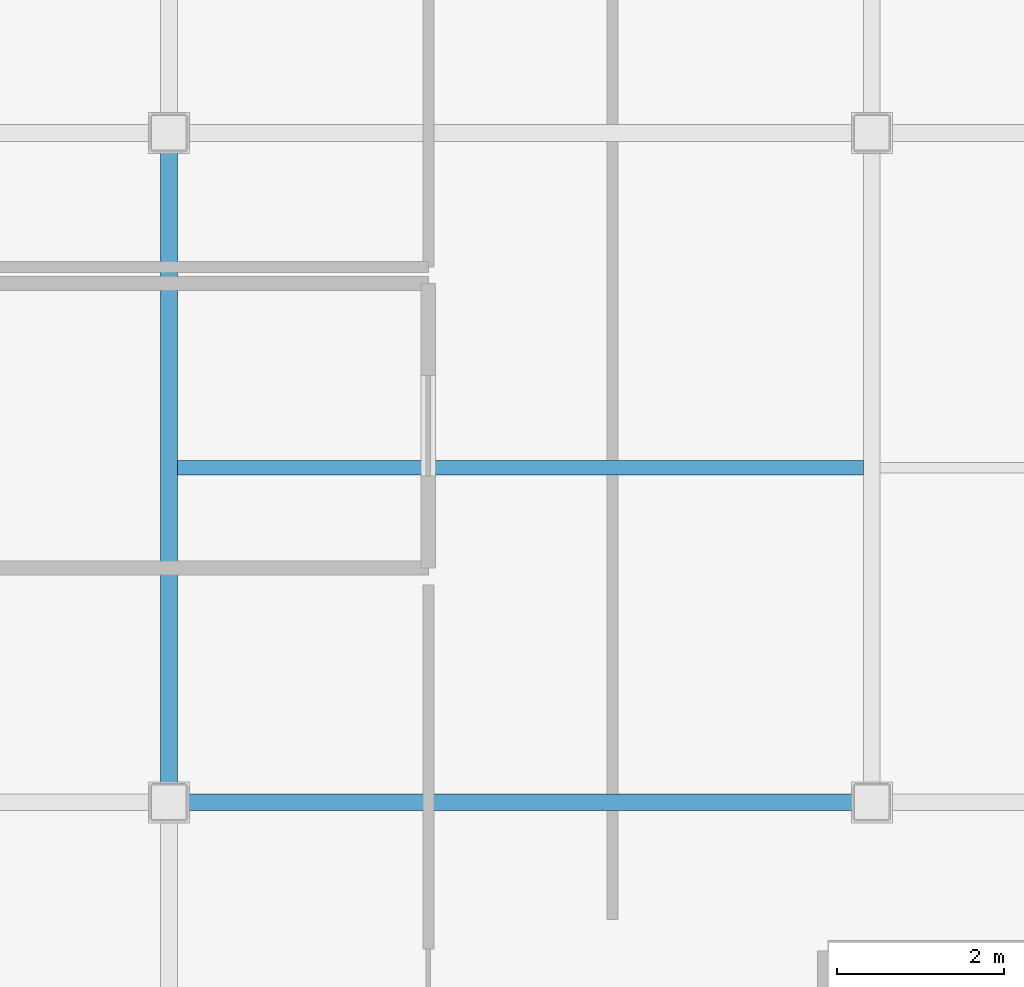
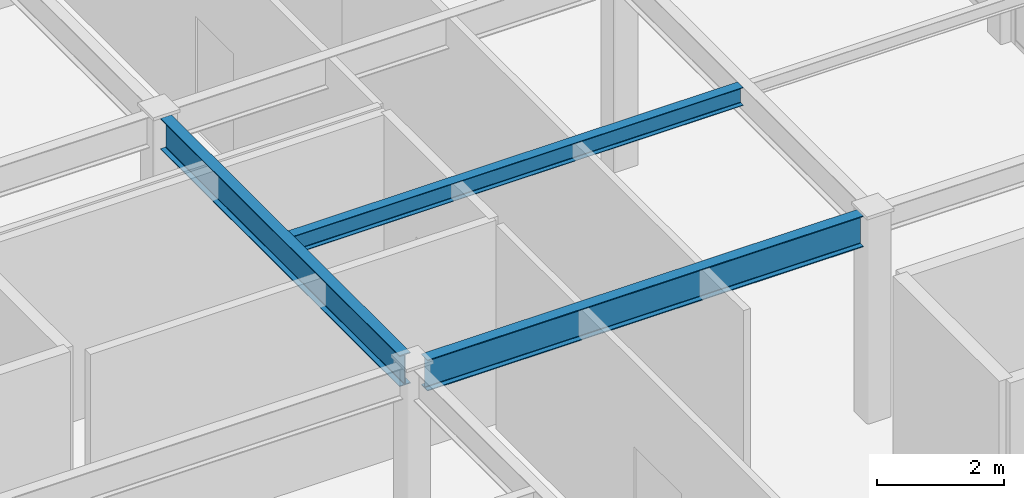
# One storey, part 6 of 34: 3 beams.
"""IFC4 building model written with IfcOpenShell, lengths in metres."""

from ifc_helpers import new_model, si_unit, direction, frame, origin, origin_2d, place, context, subcontext, project, spatial, i_section, extrude, material, material_profile, profile_set, type_object, element, save


model = new_model("IFC4")

# Units and contexts
model_context = context("Model", 3, precision=1e-05, world=origin(), true_north=direction((0.0, 1.0)))
body_context = subcontext(model_context, "Body", "Model", "MODEL_VIEW")
ifc_project = project(units=[si_unit("LENGTHUNIT", "METRE"), si_unit("AREAUNIT", "SQUARE_METRE"), si_unit("VOLUMEUNIT", "CUBIC_METRE"), si_unit("PLANEANGLEUNIT", "RADIAN"), si_unit("MASSUNIT", "GRAM", prefix="KILO")], contexts=[model_context])

# Site, building, storey
site_placement = place(None, origin())
site = spatial("IfcSite", under=ifc_project, at=site_placement, CompositionType="ELEMENT")
building_placement = place(site_placement, origin())
building = spatial("IfcBuilding", under=site, at=building_placement, Name="Kazehara Bluff Congress Hotel", CompositionType="ELEMENT")
storey_placement = place(building_placement, frame((0.0, 0.0, 46.199951171875)))
storey = spatial("IfcBuildingStorey", under=building, at=storey_placement, Name="L11", CompositionType="ELEMENT", Elevation=46.199951171875)

# Beams
ifc_material_1 = material(Name="Steel SN490B", Category="steel")
ifc_material_profile_1 = material_profile(ifc_material_1, i_section(OverallWidth=0.199951171875, OverallDepth=0.60009765625, WebThickness=0.010986328125, FlangeThickness=0.01708984375, FilletRadius=0.012939453125, at=origin_2d()))
ifc_profile_set_1 = profile_set([ifc_material_profile_1], Name="Steel SN490B")
beam_type_1 = type_object("IfcBeamType", Name="TP-G-02", PredefinedType="BEAM", material=ifc_profile_set_1)
beam_1_placement = place(storey_placement, frame((152.10009765625, 24.22509765625, 3.650146484375), z_axis=(0.0, 1.0, 0.0), x_axis=(-1.0, 0.0, 0.0)))
element("IfcBeam", 1, at=beam_1_placement, inside=storey, type_object=beam_type_1, Name="L11 girder G-02 9", PredefinedType="BEAM", context=body_context, shape_type="SweptSolid", body=[
    extrude(i_section(OverallWidth=0.199951171875, OverallDepth=0.60009765625, WebThickness=0.010986328125, FlangeThickness=0.01708984375, FilletRadius=0.012939453125, at=origin_2d()), origin(), (0.0, 0.0, 1.0), 7.5498046875),
])
beam_2_placement = place(storey_placement, frame((152.324951171875, 24.0, 3.650146484375), z_axis=(1.0, 0.0, 0.0), x_axis=(0.0, 1.0, 0.0)))
element("IfcBeam", 2, at=beam_2_placement, inside=storey, type_object=beam_type_1, Name="L11 girder G-02 29", PredefinedType="BEAM", context=body_context, shape_type="SweptSolid", body=[
    extrude(i_section(OverallWidth=0.199951171875, OverallDepth=0.60009765625, WebThickness=0.010986328125, FlangeThickness=0.01708984375, FilletRadius=0.012939453125, at=origin_2d()), origin(), (0.0, 0.0, 1.0), 7.949951171875),
])
ifc_material_2 = material(Name="Steel SN400B", Category="steel")
ifc_material_profile_2 = material_profile(ifc_material_2, i_section(OverallWidth=0.175048828125, OverallDepth=0.35009765625, WebThickness=0.007080078125, FlangeThickness=0.010986328125, FilletRadius=0.012939453125, at=origin_2d()))
ifc_profile_set_2 = profile_set([ifc_material_profile_2], Name="Steel SN400B")
beam_type_2 = type_object("IfcBeamType", Name="TP-J-02", PredefinedType="JOIST", material=ifc_profile_set_2)
beam_3_placement = place(storey_placement, frame((152.199951171875, 28.0, 3.775146484375), z_axis=(1.0, 0.0, 0.0), x_axis=(0.0, 1.0, 0.0)))
element("IfcBeam", 3, at=beam_3_placement, inside=storey, type_object=beam_type_2, Name="L11 secondary joist J-02 5", PredefinedType="JOIST", context=body_context, shape_type="SweptSolid", body=[
    extrude(i_section(OverallWidth=0.175048828125, OverallDepth=0.35009765625, WebThickness=0.007080078125, FlangeThickness=0.010986328125, FilletRadius=0.012939453125, at=origin_2d()), origin(), (0.0, 0.0, 1.0), 8.199951171875),
])

save(model, "model.ifc")
